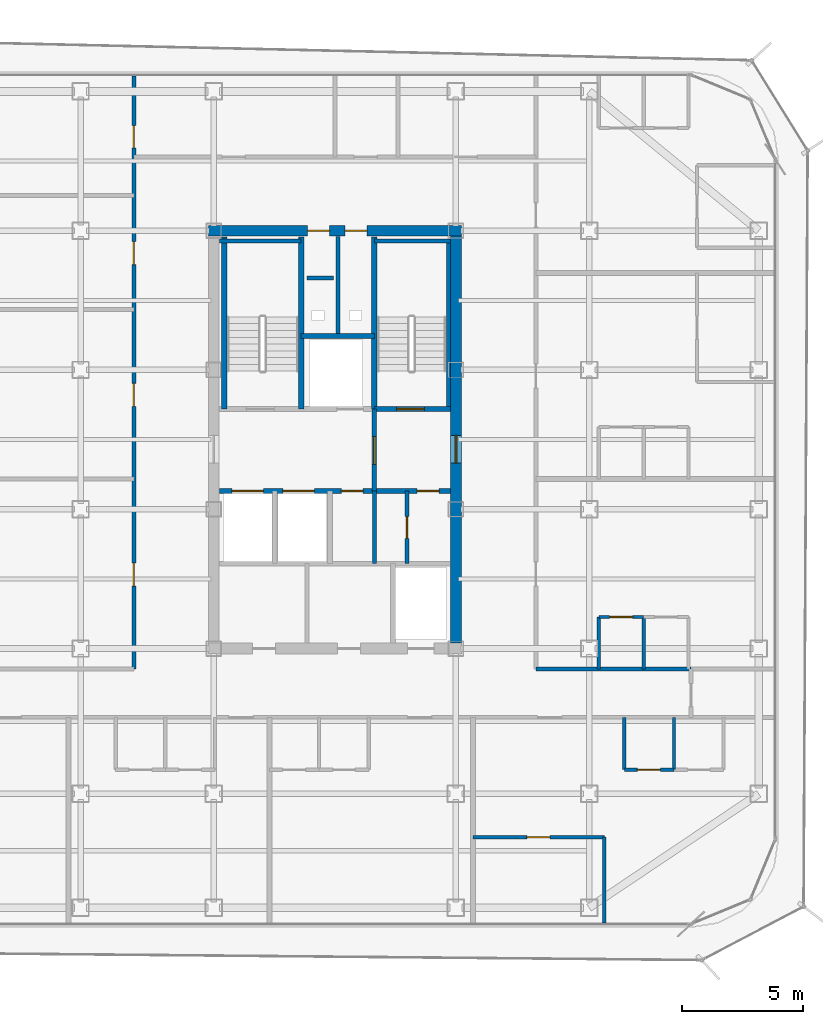
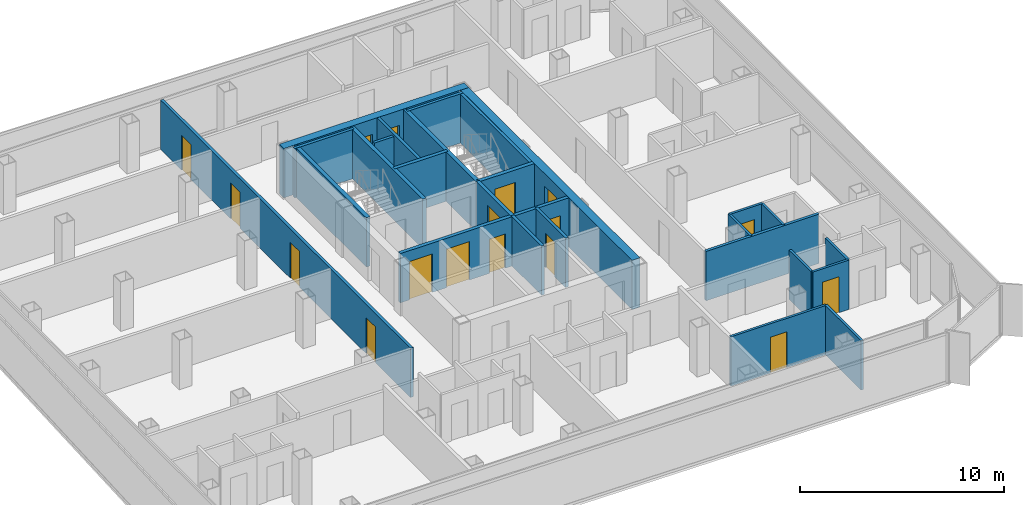
# One storey, part 11 of 16: 26 walls, 17 doors, 17 openings.
"""IFC4 building model written with IfcOpenShell, lengths in metres."""

from ifc_helpers import new_model, si_unit, direction, frame, frame_2d, origin, place, context, subcontext, project, spatial, rectangle, extrude, material, layer, layer_set, type_object, element, fill, save


model = new_model("IFC4")

# Units and contexts
model_context = context("Model", 3, precision=1e-05, world=origin(), true_north=direction((0.0, 1.0)))
body_context = subcontext(model_context, "Body", "Model", "MODEL_VIEW")
ifc_project = project(units=[si_unit("LENGTHUNIT", "METRE"), si_unit("AREAUNIT", "SQUARE_METRE"), si_unit("VOLUMEUNIT", "CUBIC_METRE"), si_unit("PLANEANGLEUNIT", "RADIAN"), si_unit("MASSUNIT", "GRAM", prefix="KILO")], contexts=[model_context])

# Site, building, storey
site_placement = place(None, origin())
site = spatial("IfcSite", under=ifc_project, at=site_placement, CompositionType="ELEMENT")
building_placement = place(site_placement, origin())
building = spatial("IfcBuilding", under=site, at=building_placement, Name="Kolveth Station Tower", CompositionType="ELEMENT")
storey_placement = place(building_placement, frame((0.0, 0.0, 162.5)))
storey = spatial("IfcBuildingStorey", under=building, at=storey_placement, Name="L45", CompositionType="ELEMENT", Elevation=162.5)

# Wall, openings, doors
ifc_material_1 = material(Name="Concrete C50/60", Category="concrete")
ifc_layer_1 = layer(ifc_material_1, 0.449951171875)
ifc_layer_set_1 = layer_set([ifc_layer_1], Name="Concrete C50/60")
wall_type_1 = type_object("IfcWallType", Name="Wall_CW-450", PredefinedType="SHEAR", material=ifc_layer_set_1)
wall_1_placement = place(storey_placement, frame((18.27490234375, 28.75, 0.0), z_axis=(0.0, 0.0, 1.0), x_axis=(1.0, 0.0, 0.0)))
wall_1 = element("IfcWall", 1, at=wall_1_placement, inside=storey, type_object=wall_type_1, Name="L45 Core RC Shear Wall N", PredefinedType="SHEAR", context=body_context, shape_type="SweptSolid", body=[
    extrude(rectangle(XDim=10.4501953125, YDim=0.449951171875, at=frame_2d((5.22509765625, 0.0))), origin(), (0.0, 0.0, 1.0), 2.949951171875),
])
opening_1_placement = place(wall_1_placement, frame((4.10498046875, 0.0, 0.0)))
opening_1 = element("IfcOpeningElement", 2, at=opening_1_placement, cuts=wall_1, Name="Opening RD1", PredefinedType="OPENING", context=body_context, shape_type="SweptSolid", body=[
    extrude(rectangle(XDim=0.89990234375, YDim=2.050048828125, at=frame_2d((0.449951171875, 1.02490234375))), frame((0.0, 0.23486328125, 0.0), z_axis=(0.0, -1.0, 0.0), x_axis=(1.0, 0.0, 0.0)), (0.0, 0.0, 1.0), 0.469970703125),
])
opening_2_placement = place(wall_1_placement, frame((5.64501953125, 0.0, 0.0)))
opening_2 = element("IfcOpeningElement", 3, at=opening_2_placement, cuts=wall_1, Name="Opening RD1", PredefinedType="OPENING", context=body_context, shape_type="SweptSolid", body=[
    extrude(rectangle(XDim=0.89990234375, YDim=2.050048828125, at=frame_2d((0.449951171875, 1.02490234375))), frame((0.0, 0.23486328125, 0.0), z_axis=(0.0, -1.0, 0.0), x_axis=(1.0, 0.0, 0.0)), (0.0, 0.0, 1.0), 0.469970703125),
])
ifc_material_2 = material(Name="Fire-rated Steel S355 riser access leaf", Category="steel")
door_type_1 = type_object("IfcDoorType", Name="Door_RD1", OperationType="NOTDEFINED", PredefinedType="DOOR", material=ifc_material_2)
door_1_placement = place(opening_1_placement, origin())
door_1 = element("IfcDoor", 4, at=door_1_placement, inside=storey, type_object=door_type_1, Name="L45 Electrical Riser Access Door", OperationType="SINGLE_SWING_LEFT", OverallHeight=2.050048828125, OverallWidth=0.89990234375, PredefinedType="DOOR", context=body_context, shape_type="SweptSolid", body=[
    extrude(rectangle(XDim=0.89990234375, YDim=2.050048828125, at=frame_2d((0.449951171875, 1.02490234375))), frame((0.0, 0.02490234375, 0.0), z_axis=(0.0, -1.0, 0.0), x_axis=(1.0, 0.0, 0.0)), (0.0, 0.0, 1.0), 0.050048828125),
])
fill(opening_1, door_1)
door_2_placement = place(opening_2_placement, origin())
door_2 = element("IfcDoor", 5, at=door_2_placement, inside=storey, type_object=door_type_1, Name="L45 Smoke Duct Access Door", OperationType="SINGLE_SWING_RIGHT", OverallHeight=2.050048828125, OverallWidth=0.89990234375, PredefinedType="DOOR", context=body_context, shape_type="SweptSolid", body=[
    extrude(rectangle(XDim=0.89990234375, YDim=2.050048828125, at=frame_2d((0.449951171875, 1.02490234375))), frame((0.0, 0.02490234375, 0.0), z_axis=(0.0, -1.0, 0.0), x_axis=(1.0, 0.0, 0.0)), (0.0, 0.0, 1.0), 0.050048828125),
])
fill(opening_2, door_2)

# Wall, opening, door
wall_2_placement = place(storey_placement, frame((28.5, 11.72509765625, 0.0), z_axis=(0.0, 0.0, 1.0), x_axis=(0.0, 1.0, 0.0)))
wall_2 = element("IfcWall", 6, at=wall_2_placement, inside=storey, type_object=wall_type_1, Name="L45 Core RC Shear Wall E", PredefinedType="SHEAR", context=body_context, shape_type="SweptSolid", body=[
    extrude(rectangle(XDim=16.7998046875, YDim=0.449951171875, at=frame_2d((8.39990234375, 0.0))), origin(), (0.0, 0.0, 1.0), 2.949951171875),
])
opening_3_placement = place(wall_2_placement, frame((7.425048828125, 0.0, 0.0)))
opening_3 = element("IfcOpeningElement", 7, at=opening_3_placement, cuts=wall_2, Name="Opening FD1", PredefinedType="OPENING", context=body_context, shape_type="SweptSolid", body=[
    extrude(rectangle(XDim=1.14990234375, YDim=2.199951171875, at=frame_2d((0.574951171875, 1.10009765625))), frame((0.0, 0.23486328125, 0.0), z_axis=(0.0, -1.0, 0.0), x_axis=(1.0, 0.0, 0.0)), (0.0, 0.0, 1.0), 0.469970703125),
])
ifc_material_3 = material(Name="Fire-rated Steel S355 leaf and frame", Category="steel")
door_type_2 = type_object("IfcDoorType", Name="Door_FD1", OperationType="NOTDEFINED", PredefinedType="DOOR", material=ifc_material_3)
door_3_placement = place(opening_3_placement, origin())
door_3 = element("IfcDoor", 8, at=door_3_placement, inside=storey, type_object=door_type_2, Name="L45 East Corridor to Stair Lobby Door", OperationType="SINGLE_SWING_RIGHT", OverallHeight=2.199951171875, OverallWidth=1.14990234375, PredefinedType="DOOR", context=body_context, shape_type="SweptSolid", body=[
    extrude(rectangle(XDim=1.14990234375, YDim=2.199951171875, at=frame_2d((0.574951171875, 1.10009765625))), frame((0.0, 0.02490234375, 0.0), z_axis=(0.0, -1.0, 0.0), x_axis=(1.0, 0.0, 0.0)), (0.0, 0.0, 1.0), 0.050048828125),
])
fill(opening_3, door_3)

ifc_material_4 = material(Name="Moisture-resistant gypsum partition")
ifc_layer_2 = layer(ifc_material_4, 0.135009765625)
ifc_layer_set_2 = layer_set([ifc_layer_2], Name="Moisture-resistant gypsum partition")
wall_type_2 = type_object("IfcWallType", Name="Wall_IW-135", PredefinedType="PARTITIONING", material=ifc_layer_set_2)
wall_3_placement = place(storey_placement, frame((35.449951171875, 6.5, 0.0), z_axis=(0.0, 0.0, 1.0), x_axis=(1.0, 0.0, 0.0)))
wall_3 = element("IfcWall", 9, at=wall_3_placement, inside=storey, type_object=wall_type_2, Name="L45 Partition Wall WL-L45-A4-IBHK", PredefinedType="PARTITIONING", context=body_context, shape_type="SweptSolid", body=[
    extrude(rectangle(XDim=2.050048828125, YDim=0.135009765625, at=frame_2d((1.02490234375, 0.0))), origin(), (0.0, 0.0, 1.0), 2.949951171875),
])
opening_4_placement = place(wall_3_placement, frame((0.544921875, 0.0, 0.0)))
opening_4 = element("IfcOpeningElement", 10, at=opening_4_placement, cuts=wall_3, Name="Opening ID1", PredefinedType="OPENING", context=body_context, shape_type="SweptSolid", body=[
    extrude(rectangle(XDim=0.949951171875, YDim=2.14990234375, at=frame_2d((0.47509765625, 1.074951171875))), frame((0.0, 0.077392578125, 0.0), z_axis=(0.0, -1.0, 0.0), x_axis=(1.0, 0.0, 0.0)), (0.0, 0.0, 1.0), 0.155029296875),
])
ifc_material_5 = material(Name="Acoustic hardwood leaf and aluminium frame", Category="wood")
door_type_3 = type_object("IfcDoorType", Name="Door_ID1", OperationType="NOTDEFINED", PredefinedType="DOOR", material=ifc_material_5)
door_4_placement = place(opening_4_placement, origin())
door_4 = element("IfcDoor", 11, at=door_4_placement, inside=storey, type_object=door_type_3, Name="Penthouse Flat L45-A4 Kitchen Door", OperationType="SINGLE_SWING_RIGHT", OverallHeight=2.14990234375, OverallWidth=0.949951171875, PredefinedType="DOOR", context=body_context, shape_type="SweptSolid", body=[
    extrude(rectangle(XDim=0.949951171875, YDim=2.14990234375, at=frame_2d((0.47509765625, 1.074951171875))), frame((0.0, 0.02490234375, 0.0), z_axis=(0.0, -1.0, 0.0), x_axis=(1.0, 0.0, 0.0)), (0.0, 0.0, 1.0), 0.050048828125),
])
fill(opening_4, door_4)

# Walls
for number, where, z_axis, x_axis, name in (
    (12, (35.449951171875, 6.5, 0.0), (0.0, 0.0, 1.0), (0.0, 1.0, 0.0), "L45 Partition Wall WL-L45-A4-IBV0"),
    (13, (37.5, 6.5, 0.0), (0.0, 0.0, 1.0), (0.0, 1.0, 0.0), "L45 Partition Wall WL-L45-A4-IBV1"),
):
    element("IfcWall", number, at=place(storey_placement, frame(where, z_axis=z_axis, x_axis=x_axis)), inside=storey, type_object=wall_type_2, Name=name, PredefinedType="PARTITIONING", context=body_context, shape_type="SweptSolid", body=[
        extrude(rectangle(XDim=2.14990234375, YDim=0.135009765625, at=frame_2d((1.074951171875, 0.0))), origin(), (0.0, 0.0, 1.0), 2.949951171875),
    ])
wall_4_placement = place(storey_placement, frame((34.625, 0.159912109375, 0.0), z_axis=(0.0, 0.0, 1.0), x_axis=(0.0, 1.0, 0.0)))
element("IfcWall", 14, at=wall_4_placement, inside=storey, type_object=wall_type_2, Name="L45 Partition Wall WL-L45-A4-BDVE", PredefinedType="PARTITIONING", context=body_context, shape_type="SweptSolid", body=[
    extrude(rectangle(XDim=3.550048828125, YDim=0.135009765625, at=frame_2d((1.77490234375, 0.0))), origin(), (0.0, 0.0, 1.0), 2.949951171875),
])

# Wall, opening, door
wall_5_placement = place(storey_placement, frame((29.199951171875, 3.7099609375, 0.0), z_axis=(0.0, 0.0, 1.0), x_axis=(1.0, 0.0, 0.0)))
wall_5 = element("IfcWall", 15, at=wall_5_placement, inside=storey, type_object=wall_type_2, Name="L45 Partition Wall WL-L45-A4-BDH1", PredefinedType="PARTITIONING", context=body_context, shape_type="SweptSolid", body=[
    extrude(rectangle(XDim=5.425048828125, YDim=0.135009765625, at=frame_2d((2.71240234375, 0.0))), origin(), (0.0, 0.0, 1.0), 2.949951171875),
])
opening_5_placement = place(wall_5_placement, frame((2.23291015625, 0.0, 0.0)))
opening_5 = element("IfcOpeningElement", 16, at=opening_5_placement, cuts=wall_5, Name="Opening ID1", PredefinedType="OPENING", context=body_context, shape_type="SweptSolid", body=[
    extrude(rectangle(XDim=0.949951171875, YDim=2.14990234375, at=frame_2d((0.47509765625, 1.074951171875))), frame((0.0, 0.077392578125, 0.0), z_axis=(0.0, -1.0, 0.0), x_axis=(1.0, 0.0, 0.0)), (0.0, 0.0, 1.0), 0.155029296875),
])
door_5_placement = place(opening_5_placement, frame((0.949951171875, 0.0, 0.0), z_axis=(0.0, 0.0, 1.0), x_axis=(-1.0, 0.0, 0.0)))
door_5 = element("IfcDoor", 17, at=door_5_placement, inside=storey, type_object=door_type_3, Name="Penthouse Flat L45-A4 Bedroom 1 Door", OperationType="SINGLE_SWING_LEFT", OverallHeight=2.14990234375, OverallWidth=0.949951171875, PredefinedType="DOOR", context=body_context, shape_type="SweptSolid", body=[
    extrude(rectangle(XDim=0.949951171875, YDim=2.14990234375, at=frame_2d((0.47509765625, 1.074951171875))), frame((0.0, 0.02490234375, 0.0), z_axis=(0.0, -1.0, 0.0), x_axis=(1.0, 0.0, 0.0)), (0.0, 0.0, 1.0), 0.050048828125),
])
fill(opening_5, door_5)

wall_6_placement = place(storey_placement, frame((34.39990234375, 12.800048828125, 0.0), z_axis=(0.0, 0.0, 1.0), x_axis=(1.0, 0.0, 0.0)))
wall_6 = element("IfcWall", 18, at=wall_6_placement, inside=storey, type_object=wall_type_2, Name="L45 Partition Wall WL-L45-E1-IBHK", PredefinedType="PARTITIONING", context=body_context, shape_type="SweptSolid", body=[
    extrude(rectangle(XDim=1.85009765625, YDim=0.135009765625, at=frame_2d((0.925048828125, 0.0))), origin(), (0.0, 0.0, 1.0), 2.949951171875),
])
opening_6_placement = place(wall_6_placement, frame((0.445068359375, 0.0, 0.0)))
opening_6 = element("IfcOpeningElement", 19, at=opening_6_placement, cuts=wall_6, Name="Opening ID1", PredefinedType="OPENING", context=body_context, shape_type="SweptSolid", body=[
    extrude(rectangle(XDim=0.949951171875, YDim=2.14990234375, at=frame_2d((0.47509765625, 1.074951171875))), frame((0.0, 0.077392578125, 0.0), z_axis=(0.0, -1.0, 0.0), x_axis=(1.0, 0.0, 0.0)), (0.0, 0.0, 1.0), 0.155029296875),
])
door_6_placement = place(opening_6_placement, origin())
door_6 = element("IfcDoor", 20, at=door_6_placement, inside=storey, type_object=door_type_3, Name="Flat L45-E1 Kitchen Door", OperationType="SINGLE_SWING_RIGHT", OverallHeight=2.14990234375, OverallWidth=0.949951171875, PredefinedType="DOOR", context=body_context, shape_type="SweptSolid", body=[
    extrude(rectangle(XDim=0.949951171875, YDim=2.14990234375, at=frame_2d((0.47509765625, 1.074951171875))), frame((0.0, 0.02490234375, 0.0), z_axis=(0.0, -1.0, 0.0), x_axis=(1.0, 0.0, 0.0)), (0.0, 0.0, 1.0), 0.050048828125),
])
fill(opening_6, door_6)

# Walls
for number, where, z_axis, x_axis, name in (
    (21, (34.39990234375, 10.64990234375, 0.0), (0.0, 0.0, 1.0), (0.0, 1.0, 0.0), "L45 Partition Wall WL-L45-E1-IBV0"),
    (22, (36.25, 10.64990234375, 0.0), (0.0, 0.0, 1.0), (0.0, 1.0, 0.0), "L45 Partition Wall WL-L45-E1-IBV1"),
):
    element("IfcWall", number, at=place(storey_placement, frame(where, z_axis=z_axis, x_axis=x_axis)), inside=storey, type_object=wall_type_2, Name=name, PredefinedType="PARTITIONING", context=body_context, shape_type="SweptSolid", body=[
        extrude(rectangle(XDim=2.150146484375, YDim=0.135009765625, at=frame_2d((1.0751953125, 0.0))), origin(), (0.0, 0.0, 1.0), 2.949951171875),
    ])
ifc_material_6 = material(Name="Acoustic double-stud gypsum partition")
ifc_layer_3 = layer(ifc_material_6, 0.1650390625)
ifc_layer_set_3 = layer_set([ifc_layer_3], Name="Acoustic double-stud gypsum partition")
wall_type_3 = type_object("IfcWallType", Name="Wall_IW-165", PredefinedType="PARTITIONING", material=ifc_layer_set_3)
wall_7_placement = place(storey_placement, frame((18.735107421875, 28.3349609375, 0.0), z_axis=(0.0, 0.0, 1.0), x_axis=(1.0, 0.0, 0.0)))
element("IfcWall", 23, at=wall_7_placement, inside=storey, type_object=wall_type_3, Name="L45 Stair Shaft Wall WL-L45-ST1-N", PredefinedType="PARTITIONING", context=body_context, shape_type="SweptSolid", body=[
    extrude(rectangle(XDim=3.375, YDim=0.1650390625, at=frame_2d((1.6875, 0.0))), origin(), (0.0, 0.0, 1.0), 2.949951171875),
])
wall_8_placement = place(storey_placement, frame((25.1298828125, 28.3349609375, 0.0), z_axis=(0.0, 0.0, 1.0), x_axis=(1.0, 0.0, 0.0)))
element("IfcWall", 24, at=wall_8_placement, inside=storey, type_object=wall_type_3, Name="L45 Stair Shaft Wall WL-L45-ST2-N", PredefinedType="PARTITIONING", context=body_context, shape_type="SweptSolid", body=[
    extrude(rectangle(XDim=3.135009765625, YDim=0.1650390625, at=frame_2d((1.5673828125, 0.0))), origin(), (0.0, 0.0, 1.0), 2.949951171875),
])
wall_9_placement = place(storey_placement, frame((28.1826171875, 21.389892578125, 0.0), z_axis=(0.0, 0.0, 1.0), x_axis=(0.0, 1.0, 0.0)))
element("IfcWall", 25, at=wall_9_placement, inside=storey, type_object=wall_type_3, Name="L45 Stair Shaft Wall WL-L45-ST2-E", PredefinedType="PARTITIONING", context=body_context, shape_type="SweptSolid", body=[
    extrude(rectangle(XDim=6.945068359375, YDim=0.1650390625, at=frame_2d((3.47265625, 0.0))), origin(), (0.0, 0.0, 1.0), 2.949951171875),
])
wall_10_placement = place(storey_placement, frame((23.6201171875, 24.39990234375, 0.0), z_axis=(0.0, 0.0, 1.0), x_axis=(0.0, 1.0, 0.0)))
element("IfcWall", 26, at=wall_10_placement, inside=storey, type_object=wall_type_3, Name="L45 Partition Wall WL-L45-RSR-M", PredefinedType="PARTITIONING", context=body_context, shape_type="SweptSolid", body=[
    extrude(rectangle(XDim=4.114990234375, YDim=0.1650390625, at=frame_2d((2.0576171875, 0.0))), origin(), (0.0, 0.0, 1.0), 2.949951171875),
])
wall_11_placement = place(storey_placement, frame((25.1298828125, 15.0, 0.0), z_axis=(0.0, 0.0, 1.0), x_axis=(0.0, 1.0, 0.0)))
element("IfcWall", 27, at=wall_11_placement, inside=storey, type_object=wall_type_3, Name="L45 Partition Wall WL-L45-CB-V3A", PredefinedType="PARTITIONING", context=body_context, shape_type="SweptSolid", body=[
    extrude(rectangle(XDim=3.0, YDim=0.1650390625, at=frame_2d((1.5, 0.0))), origin(), (0.0, 0.0, 1.0), 2.949951171875),
])

# Wall, opening, door
wall_12_placement = place(storey_placement, frame((26.47998046875, 15.0, 0.0), z_axis=(0.0, 0.0, 1.0), x_axis=(0.0, 1.0, 0.0)))
wall_12 = element("IfcWall", 28, at=wall_12_placement, inside=storey, type_object=wall_type_3, Name="L45 Partition Wall WL-L45-CB-V3B", PredefinedType="PARTITIONING", context=body_context, shape_type="SweptSolid", body=[
    extrude(rectangle(XDim=3.0, YDim=0.1650390625, at=frame_2d((1.5, 0.0))), origin(), (0.0, 0.0, 1.0), 2.949951171875),
])
opening_7_placement = place(wall_12_placement, frame((1.050048828125, 0.0, 0.0)))
opening_7 = element("IfcOpeningElement", 29, at=opening_7_placement, cuts=wall_12, Name="Opening RD1", PredefinedType="OPENING", context=body_context, shape_type="SweptSolid", body=[
    extrude(rectangle(XDim=0.89990234375, YDim=2.050048828125, at=frame_2d((0.449951171875, 1.02490234375))), frame((0.0, 0.092529296875, 0.0), z_axis=(0.0, -1.0, 0.0), x_axis=(1.0, 0.0, 0.0)), (0.0, 0.0, 1.0), 0.18505859375),
])
door_7_placement = place(opening_7_placement, origin())
door_7 = element("IfcDoor", 30, at=door_7_placement, inside=storey, type_object=door_type_1, Name="L45 Core Meter Closet Door", OperationType="SINGLE_SWING_LEFT", OverallHeight=2.050048828125, OverallWidth=0.89990234375, PredefinedType="DOOR", context=body_context, shape_type="SweptSolid", body=[
    extrude(rectangle(XDim=0.89990234375, YDim=2.050048828125, at=frame_2d((0.449951171875, 1.02490234375))), frame((0.0, 0.02490234375, 0.0), z_axis=(0.0, -1.0, 0.0), x_axis=(1.0, 0.0, 0.0)), (0.0, 0.0, 1.0), 0.050048828125),
])
fill(opening_7, door_7)

# Wall
wall_13_placement = place(storey_placement, frame((31.800048828125, 10.64990234375, 0.0), z_axis=(0.0, 0.0, 1.0), x_axis=(1.0, 0.0, 0.0)))
element("IfcWall", 31, at=wall_13_placement, inside=storey, type_object=wall_type_3, Name="L45 Partition Wall WL-L45-RSET", PredefinedType="PARTITIONING", context=body_context, shape_type="SweptSolid", body=[
    extrude(rectangle(XDim=6.39990234375, YDim=0.1650390625, at=frame_2d((3.199951171875, 0.0))), origin(), (0.0, 0.0, 1.0), 2.949951171875),
])

# Wall, openings, doors
wall_14_placement = place(storey_placement, frame((15.199951171875, 10.64990234375, 0.0), z_axis=(0.0, 0.0, 1.0), x_axis=(0.0, 1.0, 0.0)))
wall_14 = element("IfcWall", 32, at=wall_14_placement, inside=storey, type_object=wall_type_3, Name="L45 Partition Wall WL-L45-RW", PredefinedType="PARTITIONING", context=body_context, shape_type="SweptSolid", body=[
    extrude(rectangle(XDim=24.489990234375, YDim=0.1650390625, at=frame_2d((12.2451171875, 0.0))), origin(), (0.0, 0.0, 1.0), 2.949951171875),
])
opening_8_placement = place(wall_14_placement, frame((3.425048828125, 0.0, 0.0)))
opening_8 = element("IfcOpeningElement", 33, at=opening_8_placement, cuts=wall_14, Name="Opening ID1", PredefinedType="OPENING", context=body_context, shape_type="SweptSolid", body=[
    extrude(rectangle(XDim=0.949951171875, YDim=2.14990234375, at=frame_2d((0.47509765625, 1.074951171875))), frame((0.0, 0.092529296875, 0.0), z_axis=(0.0, -1.0, 0.0), x_axis=(1.0, 0.0, 0.0)), (0.0, 0.0, 1.0), 0.18505859375),
])
opening_9_placement = place(wall_14_placement, frame((10.85009765625, 0.0, 0.0)))
opening_9 = element("IfcOpeningElement", 34, at=opening_9_placement, cuts=wall_14, Name="Opening ID1", PredefinedType="OPENING", context=body_context, shape_type="SweptSolid", body=[
    extrude(rectangle(XDim=0.949951171875, YDim=2.14990234375, at=frame_2d((0.47509765625, 1.074951171875))), frame((0.0, 0.092529296875, 0.0), z_axis=(0.0, -1.0, 0.0), x_axis=(1.0, 0.0, 0.0)), (0.0, 0.0, 1.0), 0.18505859375),
])
opening_10_placement = place(wall_14_placement, frame((16.699951171875, 0.0, 0.0)))
opening_10 = element("IfcOpeningElement", 35, at=opening_10_placement, cuts=wall_14, Name="Opening ID1", PredefinedType="OPENING", context=body_context, shape_type="SweptSolid", body=[
    extrude(rectangle(XDim=0.949951171875, YDim=2.14990234375, at=frame_2d((0.47509765625, 1.074951171875))), frame((0.0, 0.092529296875, 0.0), z_axis=(0.0, -1.0, 0.0), x_axis=(1.0, 0.0, 0.0)), (0.0, 0.0, 1.0), 0.18505859375),
])
opening_11_placement = place(wall_14_placement, frame((21.52001953125, 0.0, 0.0)))
opening_11 = element("IfcOpeningElement", 36, at=opening_11_placement, cuts=wall_14, Name="Opening ID2", PredefinedType="OPENING", context=body_context, shape_type="SweptSolid", body=[
    extrude(rectangle(XDim=0.919921875, YDim=2.10009765625, at=frame_2d((0.4599609375, 1.050048828125))), frame((0.0, 0.092529296875, 0.0), z_axis=(0.0, -1.0, 0.0), x_axis=(1.0, 0.0, 0.0)), (0.0, 0.0, 1.0), 0.18505859375),
])
door_8_placement = place(opening_8_placement, frame((0.949951171875, 0.0, 0.0), z_axis=(0.0, 0.0, 1.0), x_axis=(-1.0, 0.0, 0.0)))
door_8 = element("IfcDoor", 37, at=door_8_placement, inside=storey, type_object=door_type_3, Name="L45 Wellness Treatment Room 1 Door", OperationType="SINGLE_SWING_RIGHT", OverallHeight=2.14990234375, OverallWidth=0.949951171875, PredefinedType="DOOR", context=body_context, shape_type="SweptSolid", body=[
    extrude(rectangle(XDim=0.949951171875, YDim=2.14990234375, at=frame_2d((0.47509765625, 1.074951171875))), frame((0.0, 0.02490234375, 0.0), z_axis=(0.0, -1.0, 0.0), x_axis=(1.0, 0.0, 0.0)), (0.0, 0.0, 1.0), 0.050048828125),
])
fill(opening_8, door_8)
door_9_placement = place(opening_9_placement, frame((0.949951171875, 0.0, 0.0), z_axis=(0.0, 0.0, 1.0), x_axis=(-1.0, 0.0, 0.0)))
door_9 = element("IfcDoor", 38, at=door_9_placement, inside=storey, type_object=door_type_3, Name="L45 Wellness Treatment Room 2 Door", OperationType="SINGLE_SWING_LEFT", OverallHeight=2.14990234375, OverallWidth=0.949951171875, PredefinedType="DOOR", context=body_context, shape_type="SweptSolid", body=[
    extrude(rectangle(XDim=0.949951171875, YDim=2.14990234375, at=frame_2d((0.47509765625, 1.074951171875))), frame((0.0, 0.02490234375, 0.0), z_axis=(0.0, -1.0, 0.0), x_axis=(1.0, 0.0, 0.0)), (0.0, 0.0, 1.0), 0.050048828125),
])
fill(opening_9, door_9)
door_10_placement = place(opening_10_placement, frame((0.949951171875, 0.0, 0.0), z_axis=(0.0, 0.0, 1.0), x_axis=(-1.0, 0.0, 0.0)))
door_10 = element("IfcDoor", 39, at=door_10_placement, inside=storey, type_object=door_type_3, Name="L45 Relaxation Study Door", OperationType="SINGLE_SWING_RIGHT", OverallHeight=2.14990234375, OverallWidth=0.949951171875, PredefinedType="DOOR", context=body_context, shape_type="SweptSolid", body=[
    extrude(rectangle(XDim=0.949951171875, YDim=2.14990234375, at=frame_2d((0.47509765625, 1.074951171875))), frame((0.0, 0.02490234375, 0.0), z_axis=(0.0, -1.0, 0.0), x_axis=(1.0, 0.0, 0.0)), (0.0, 0.0, 1.0), 0.050048828125),
])
fill(opening_10, door_10)
ifc_material_7 = material(Name="Moisture-resistant hardwood leaf", Category="wood")
door_type_4 = type_object("IfcDoorType", Name="Door_ID2", OperationType="NOTDEFINED", PredefinedType="DOOR", material=ifc_material_7)
door_11_placement = place(opening_11_placement, frame((0.919921875, 0.0, 0.0), z_axis=(0.0, 0.0, 1.0), x_axis=(-1.0, 0.0, 0.0)))
door_11 = element("IfcDoor", 40, at=door_11_placement, inside=storey, type_object=door_type_4, Name="L45 Accessible Wellness WC Door", OperationType="SINGLE_SWING_LEFT", OverallHeight=2.10009765625, OverallWidth=0.919921875, PredefinedType="DOOR", context=body_context, shape_type="SweptSolid", body=[
    extrude(rectangle(XDim=0.919921875, YDim=2.10009765625, at=frame_2d((0.4599609375, 1.050048828125))), frame((0.0, 0.02490234375, 0.0), z_axis=(0.0, -1.0, 0.0), x_axis=(1.0, 0.0, 0.0)), (0.0, 0.0, 1.0), 0.050048828125),
])
fill(opening_11, door_11)

# Walls
wall_15_placement = place(storey_placement, frame((22.35009765625, 26.800048828125, 0.0), z_axis=(0.0, 0.0, 1.0), x_axis=(1.0, 0.0, 0.0)))
element("IfcWall", 41, at=wall_15_placement, inside=storey, type_object=wall_type_3, Name="L45 Acoustic Riser Dry-Lining Wall", PredefinedType="PARTITIONING", context=body_context, shape_type="SweptSolid", body=[
    extrude(rectangle(XDim=1.099853515625, YDim=0.1650390625, at=frame_2d((0.5498046875, 0.0))), origin(), (0.0, 0.0, 1.0), 2.949951171875),
])
ifc_material_8 = material(Name="Acoustic fire-rated gypsum blockwork", Category="masonry")
ifc_layer_4 = layer(ifc_material_8, 0.199951171875)
ifc_layer_set_4 = layer_set([ifc_layer_4], Name="Acoustic fire-rated gypsum blockwork")
wall_type_4 = type_object("IfcWallType", Name="Wall_IW-200", PredefinedType="PARTITIONING", material=ifc_layer_set_4)
wall_16_placement = place(storey_placement, frame((22.110107421875, 24.39990234375, 0.0), z_axis=(0.0, 0.0, 1.0), x_axis=(1.0, 0.0, 0.0)))
element("IfcWall", 42, at=wall_16_placement, inside=storey, type_object=wall_type_4, Name="L45 Partition Wall WL-L45-RSR-S", PredefinedType="PARTITIONING", context=body_context, shape_type="SweptSolid", body=[
    extrude(rectangle(XDim=3.019775390625, YDim=0.199951171875, at=frame_2d((1.509765625, 0.0))), origin(), (0.0, 0.0, 1.0), 2.949951171875),
])

# Wall, opening, door
wall_17_placement = place(storey_placement, frame((25.1298828125, 18.0, 0.0), z_axis=(0.0, 0.0, 1.0), x_axis=(0.0, 1.0, 0.0)))
wall_17 = element("IfcWall", 43, at=wall_17_placement, inside=storey, type_object=wall_type_4, Name="L45 Partition Wall WL-L45-FFL-E", PredefinedType="PARTITIONING", context=body_context, shape_type="SweptSolid", body=[
    extrude(rectangle(XDim=3.389892578125, YDim=0.199951171875, at=frame_2d((1.69482421875, 0.0))), origin(), (0.0, 0.0, 1.0), 2.949951171875),
])
opening_12_placement = place(wall_17_placement, frame((1.10009765625, 0.0, 0.0)))
opening_12 = element("IfcOpeningElement", 44, at=opening_12_placement, cuts=wall_17, Name="Opening FD1", PredefinedType="OPENING", context=body_context, shape_type="SweptSolid", body=[
    extrude(rectangle(XDim=1.14990234375, YDim=2.199951171875, at=frame_2d((0.574951171875, 1.10009765625))), frame((0.0, 0.10986328125, 0.0), z_axis=(0.0, -1.0, 0.0), x_axis=(1.0, 0.0, 0.0)), (0.0, 0.0, 1.0), 0.219970703125),
])
door_12_placement = place(opening_12_placement, origin())
door_12 = element("IfcDoor", 45, at=door_12_placement, inside=storey, type_object=door_type_2, Name="L45 Firefighting to Stair Lobby Door", OperationType="SINGLE_SWING_LEFT", OverallHeight=2.199951171875, OverallWidth=1.14990234375, PredefinedType="DOOR", context=body_context, shape_type="SweptSolid", body=[
    extrude(rectangle(XDim=1.14990234375, YDim=2.199951171875, at=frame_2d((0.574951171875, 1.10009765625))), frame((0.0, 0.02490234375, 0.0), z_axis=(0.0, -1.0, 0.0), x_axis=(1.0, 0.0, 0.0)), (0.0, 0.0, 1.0), 0.050048828125),
])
fill(opening_12, door_12)

# Wall, openings, doors
wall_18_placement = place(storey_placement, frame((18.735107421875, 18.0, 0.0), z_axis=(0.0, 0.0, 1.0), x_axis=(1.0, 0.0, 0.0)))
wall_18 = element("IfcWall", 46, at=wall_18_placement, inside=storey, type_object=wall_type_4, Name="L45 Partition Wall WL-L45-FFL-S", PredefinedType="PARTITIONING", context=body_context, shape_type="SweptSolid", body=[
    extrude(rectangle(XDim=9.52978515625, YDim=0.199951171875, at=frame_2d((4.764892578125, 0.0))), origin(), (0.0, 0.0, 1.0), 2.949951171875),
])
opening_13_placement = place(wall_18_placement, frame((0.514892578125, 0.0, 0.0)))
opening_13 = element("IfcOpeningElement", 47, at=opening_13_placement, cuts=wall_18, Name="Opening LD2", PredefinedType="OPENING", context=body_context, shape_type="SweptSolid", body=[
    extrude(rectangle(XDim=1.300048828125, YDim=2.300048828125, at=frame_2d((0.64990234375, 1.14990234375))), frame((0.0, 0.10986328125, 0.0), z_axis=(0.0, -1.0, 0.0), x_axis=(1.0, 0.0, 0.0)), (0.0, 0.0, 1.0), 0.219970703125),
])
opening_14_placement = place(wall_18_placement, frame((2.614990234375, 0.0, 0.0)))
opening_14 = element("IfcOpeningElement", 48, at=opening_14_placement, cuts=wall_18, Name="Opening LD2", PredefinedType="OPENING", context=body_context, shape_type="SweptSolid", body=[
    extrude(rectangle(XDim=1.300048828125, YDim=2.300048828125, at=frame_2d((0.64990234375, 1.14990234375))), frame((0.0, 0.10986328125, 0.0), z_axis=(0.0, -1.0, 0.0), x_axis=(1.0, 0.0, 0.0)), (0.0, 0.0, 1.0), 0.219970703125),
])
opening_15_placement = place(wall_18_placement, frame((5.034912109375, 0.0, 0.0)))
opening_15 = element("IfcOpeningElement", 49, at=opening_15_placement, cuts=wall_18, Name="Opening RD1", PredefinedType="OPENING", context=body_context, shape_type="SweptSolid", body=[
    extrude(rectangle(XDim=0.89990234375, YDim=2.050048828125, at=frame_2d((0.449951171875, 1.02490234375))), frame((0.0, 0.10986328125, 0.0), z_axis=(0.0, -1.0, 0.0), x_axis=(1.0, 0.0, 0.0)), (0.0, 0.0, 1.0), 0.219970703125),
])
opening_16_placement = place(wall_18_placement, frame((8.1650390625, 0.0, 0.0)))
opening_16 = element("IfcOpeningElement", 50, at=opening_16_placement, cuts=wall_18, Name="Opening RD1", PredefinedType="OPENING", context=body_context, shape_type="SweptSolid", body=[
    extrude(rectangle(XDim=0.89990234375, YDim=2.050048828125, at=frame_2d((0.449951171875, 1.02490234375))), frame((0.0, 0.10986328125, 0.0), z_axis=(0.0, -1.0, 0.0), x_axis=(1.0, 0.0, 0.0)), (0.0, 0.0, 1.0), 0.219970703125),
])
ifc_material_9 = material(Name="Firefighting stainless steel sliding landing doors", Category="steel")
door_type_5 = type_object("IfcDoorType", Name="Door_LD2", OperationType="NOTDEFINED", PredefinedType="DOOR", material=ifc_material_9)
door_13_placement = place(opening_13_placement, origin())
door_13 = element("IfcDoor", 51, at=door_13_placement, inside=storey, type_object=door_type_5, Name="L45 Firefighting Lift FF1 Landing Door", OperationType="DOUBLE_DOOR_SLIDING", OverallHeight=2.300048828125, OverallWidth=1.300048828125, PredefinedType="DOOR", context=body_context, shape_type="SweptSolid", body=[
    extrude(rectangle(XDim=1.300048828125, YDim=2.300048828125, at=frame_2d((0.64990234375, 1.14990234375))), frame((0.0, 0.02490234375, 0.0), z_axis=(0.0, -1.0, 0.0), x_axis=(1.0, 0.0, 0.0)), (0.0, 0.0, 1.0), 0.050048828125),
])
fill(opening_13, door_13)
door_14_placement = place(opening_14_placement, origin())
door_14 = element("IfcDoor", 52, at=door_14_placement, inside=storey, type_object=door_type_5, Name="L45 Firefighting Lift FF2 Landing Door", OperationType="DOUBLE_DOOR_SLIDING", OverallHeight=2.300048828125, OverallWidth=1.300048828125, PredefinedType="DOOR", context=body_context, shape_type="SweptSolid", body=[
    extrude(rectangle(XDim=1.300048828125, YDim=2.300048828125, at=frame_2d((0.64990234375, 1.14990234375))), frame((0.0, 0.02490234375, 0.0), z_axis=(0.0, -1.0, 0.0), x_axis=(1.0, 0.0, 0.0)), (0.0, 0.0, 1.0), 0.050048828125),
])
fill(opening_14, door_14)
door_15_placement = place(opening_15_placement, frame((0.89990234375, 0.0, 0.0), z_axis=(0.0, 0.0, 1.0), x_axis=(-1.0, 0.0, 0.0)))
door_15 = element("IfcDoor", 53, at=door_15_placement, inside=storey, type_object=door_type_1, Name="L45 Core Staff WC Door", OperationType="SINGLE_SWING_LEFT", OverallHeight=2.050048828125, OverallWidth=0.89990234375, PredefinedType="DOOR", context=body_context, shape_type="SweptSolid", body=[
    extrude(rectangle(XDim=0.89990234375, YDim=2.050048828125, at=frame_2d((0.449951171875, 1.02490234375))), frame((0.0, 0.02490234375, 0.0), z_axis=(0.0, -1.0, 0.0), x_axis=(1.0, 0.0, 0.0)), (0.0, 0.0, 1.0), 0.050048828125),
])
fill(opening_15, door_15)
door_16_placement = place(opening_16_placement, frame((0.89990234375, 0.0, 0.0), z_axis=(0.0, 0.0, 1.0), x_axis=(-1.0, 0.0, 0.0)))
door_16 = element("IfcDoor", 54, at=door_16_placement, inside=storey, type_object=door_type_1, Name="L45 Core Janitor Store Door", OperationType="SINGLE_SWING_RIGHT", OverallHeight=2.050048828125, OverallWidth=0.89990234375, PredefinedType="DOOR", context=body_context, shape_type="SweptSolid", body=[
    extrude(rectangle(XDim=0.89990234375, YDim=2.050048828125, at=frame_2d((0.449951171875, 1.02490234375))), frame((0.0, 0.02490234375, 0.0), z_axis=(0.0, -1.0, 0.0), x_axis=(1.0, 0.0, 0.0)), (0.0, 0.0, 1.0), 0.050048828125),
])
fill(opening_16, door_16)

# Walls
ifc_material_10 = material(Name="Concrete C40/50", Category="concrete")
ifc_layer_5 = layer(ifc_material_10, 0.219970703125)
ifc_layer_set_5 = layer_set([ifc_layer_5], Name="Concrete C40/50")
wall_type_5 = type_object("IfcWallType", Name="Wall_IW-220", PredefinedType="SOLIDWALL", material=ifc_layer_set_5)
for number, where, z_axis, x_axis, name in (
    (55, (18.929931640625, 21.389892578125, 0.0), (0.0, 0.0, 1.0), (0.0, 1.0, 0.0), "L45 Stair Shaft Wall WL-L45-ST1-W"),
    (56, (22.110107421875, 21.389892578125, 0.0), (0.0, 0.0, 1.0), (0.0, 1.0, 0.0), "L45 Stair Shaft Wall WL-L45-ST1-E"),
    (57, (25.1298828125, 21.389892578125, 0.0), (0.0, 0.0, 1.0), (0.0, 1.0, 0.0), "L45 Stair Shaft Wall WL-L45-ST2-W"),
):
    element("IfcWall", number, at=place(storey_placement, frame(where, z_axis=z_axis, x_axis=x_axis)), inside=storey, type_object=wall_type_5, Name=name, PredefinedType="SOLIDWALL", context=body_context, shape_type="SweptSolid", body=[
        extrude(rectangle(XDim=7.110107421875, YDim=0.219970703125, at=frame_2d((3.55517578125, 0.0))), origin(), (0.0, 0.0, 1.0), 2.949951171875),
    ])

# Wall, opening, door
wall_19_placement = place(storey_placement, frame((25.1298828125, 21.389892578125, 0.0), z_axis=(0.0, 0.0, 1.0), x_axis=(1.0, 0.0, 0.0)))
wall_19 = element("IfcWall", 58, at=wall_19_placement, inside=storey, type_object=wall_type_5, Name="L45 Stair Shaft Wall WL-L45-ST2-S", PredefinedType="SOLIDWALL", context=body_context, shape_type="SweptSolid", body=[
    extrude(rectangle(XDim=3.135009765625, YDim=0.219970703125, at=frame_2d((1.5673828125, 0.0))), origin(), (0.0, 0.0, 1.0), 2.949951171875),
])
opening_17_placement = place(wall_19_placement, frame((0.919921875, 0.0, 0.0)))
opening_17 = element("IfcOpeningElement", 59, at=opening_17_placement, cuts=wall_19, Name="Opening FD1", PredefinedType="OPENING", context=body_context, shape_type="SweptSolid", body=[
    extrude(rectangle(XDim=1.14990234375, YDim=2.199951171875, at=frame_2d((0.574951171875, 1.10009765625))), frame((0.0, 0.119873046875, 0.0), z_axis=(0.0, -1.0, 0.0), x_axis=(1.0, 0.0, 0.0)), (0.0, 0.0, 1.0), 0.239990234375),
])
door_17_placement = place(opening_17_placement, frame((1.14990234375, 0.0, 0.0), z_axis=(0.0, 0.0, 1.0), x_axis=(-1.0, 0.0, 0.0)))
door_17 = element("IfcDoor", 60, at=door_17_placement, inside=storey, type_object=door_type_2, Name="L45 Stair ST2 Fire Door", OperationType="SINGLE_SWING_RIGHT", OverallHeight=2.199951171875, OverallWidth=1.14990234375, PredefinedType="DOOR", context=body_context, shape_type="SweptSolid", body=[
    extrude(rectangle(XDim=1.14990234375, YDim=2.199951171875, at=frame_2d((0.574951171875, 1.10009765625))), frame((0.0, 0.02490234375, 0.0), z_axis=(0.0, -1.0, 0.0), x_axis=(1.0, 0.0, 0.0)), (0.0, 0.0, 1.0), 0.050048828125),
])
fill(opening_17, door_17)

save(model, "model.ifc")
